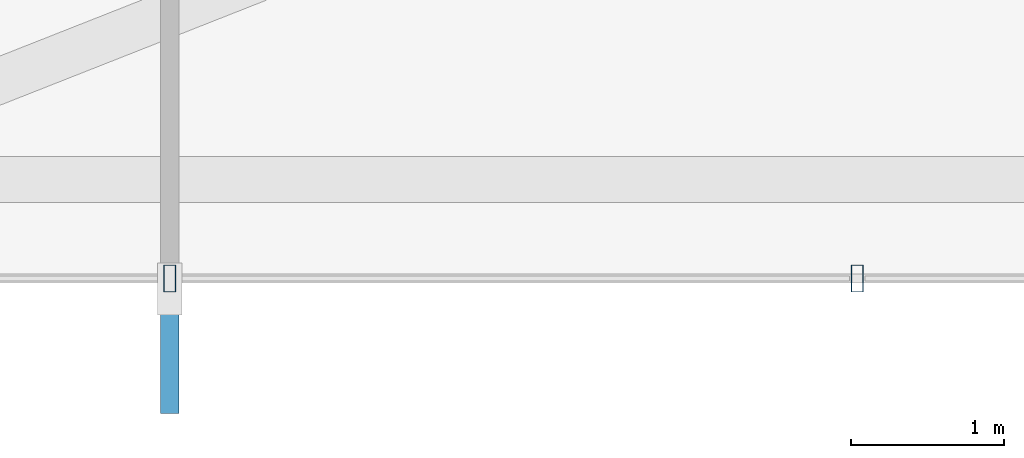
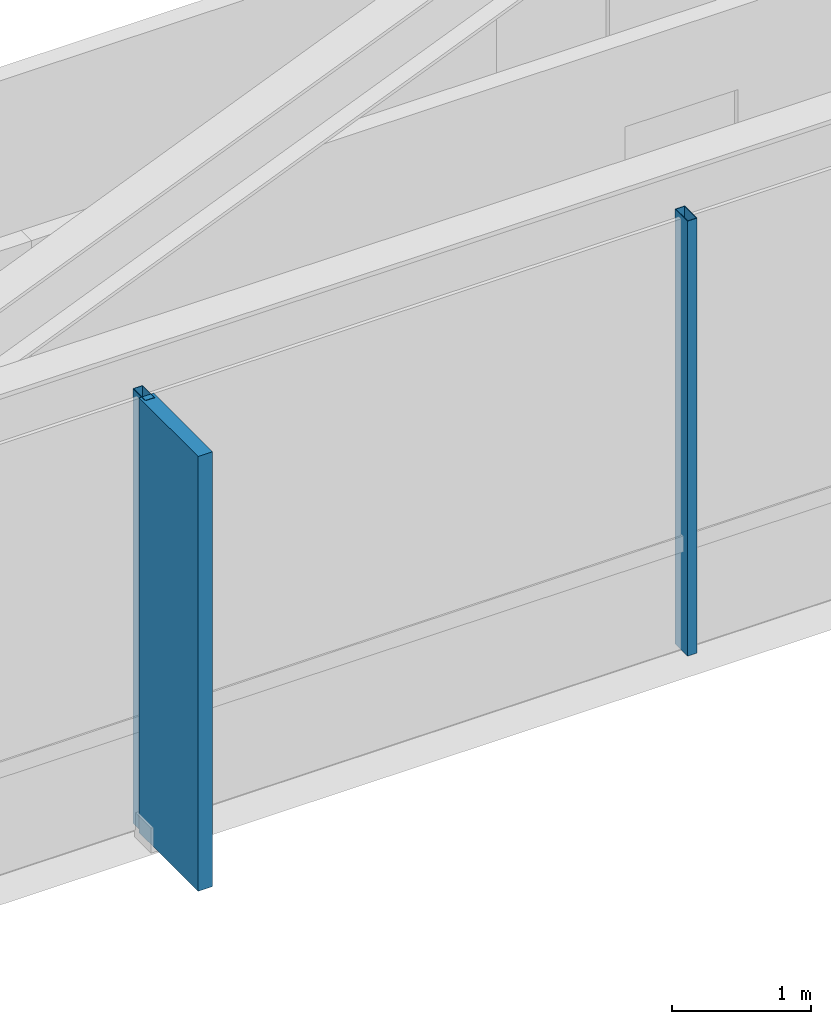
# One storey, part 6 of 24: 3 members, 1 element without a shape of its own.
"""IFC4 building model written with IfcOpenShell, lengths in metres."""

import ifcopenshell
import ifcopenshell.guid

model = None  # the IFC model being written
_history = None  # IfcOwnerHistory: only IFC2X3 demands one
_inside = {}  # id of a spatial element -> (the spatial element, [elements in it])
_under = {}  # id of a project, library or spatial element -> (it, [spatial elements below it])
_declared = {}  # id of a project -> (the project, [libraries it declares])
_typed = {}  # id of a type object -> (the type object, [elements of that type])
_made_of = {}  # id of a material, layer set ... -> (it, [elements and type objects made of it])


def new_model(schema):
    """Start an empty IFC model of exactly this schema.

    Asked for "IFC4X3", IfcOpenShell would pick the latest addendum, in which some entities
    have other attributes; the version numbers below select the first issue.
    IFC2X3 requires an IfcOwnerHistory on every rooted entity: one is made here for all.
    """
    global model, _history
    if schema == "IFC4X3":
        model = ifcopenshell.file(schema_version=(4, 3, 0, 0))
    else:
        model = ifcopenshell.file(schema=schema)
    _inside.clear()
    _under.clear()
    _declared.clear()
    _typed.clear()
    _made_of.clear()
    _history = None
    if model.schema == "IFC2X3":
        org = make("IfcOrganization", Name="unknown")
        user = make(
            "IfcPersonAndOrganization",
            ThePerson=make("IfcPerson", FamilyName="unknown"),
            TheOrganization=org,
        )
        app = make(
            "IfcApplication",
            ApplicationDeveloper=org,
            Version="unknown",
            ApplicationFullName="unknown",
            ApplicationIdentifier="unknown",
        )
        _history = make(
            "IfcOwnerHistory",
            OwningUser=user,
            OwningApplication=app,
            ChangeAction="ADDED",
            CreationDate=0,
        )
    return model


def make(cls, **values):
    """One entity of the class cls with the attributes given. An attribute that is None is left unset."""
    return model.create_entity(
        cls, **{name: value for name, value in values.items() if value is not None}
    )


def rooted(cls, **values):
    """An entity with a GlobalId (a new one), such as an element, a storey or a relation."""
    return make(cls, GlobalId=ifcopenshell.guid.new(), OwnerHistory=_history, **values)


def si_unit(unit_type, name, prefix=None):
    """IfcSIUnit, for example si_unit("LENGTHUNIT", "METRE", prefix="MILLI")."""
    return make("IfcSIUnit", UnitType=unit_type, Prefix=prefix, Name=name)


def assignment(units):
    """IfcUnitAssignment: the units of a project."""
    return None if units is None else make("IfcUnitAssignment", Units=units)


def point(xyz):
    """IfcCartesianPoint."""
    return None if xyz is None else make("IfcCartesianPoint", Coordinates=xyz)


def direction(xyz):
    """IfcDirection."""
    return None if xyz is None else make("IfcDirection", DirectionRatios=xyz)


def frame(location, z_axis=None, x_axis=None):
    """IfcAxis2Placement3D, a coordinate frame: its origin and axes. An axis left out is left unset."""
    return make(
        "IfcAxis2Placement3D",
        Location=point(location),
        Axis=direction(z_axis),
        RefDirection=direction(x_axis),
    )


def frame_2d(location, x_axis=None):
    """IfcAxis2Placement2D, a coordinate frame in the plane: its origin and x axis."""
    return make(
        "IfcAxis2Placement2D", Location=point(location), RefDirection=direction(x_axis)
    )


def origin():
    """The frame at (0, 0, 0) with its axes left unset."""
    return frame((0.0, 0.0, 0.0))


def origin_2d():
    """The frame at (0, 0) in the plane with its x axis left unset."""
    return frame_2d((0.0, 0.0))


def place(relative_to, where):
    """IfcLocalPlacement: puts the frame where relative to a parent placement (None: the world)."""
    return make(
        "IfcLocalPlacement", PlacementRelTo=relative_to, RelativePlacement=where
    )


def context(
    kind, dimensions, precision=None, world=None, true_north=None, identifier=None
):
    """IfcGeometricRepresentationContext, for example the 3D "Model" context."""
    return make(
        "IfcGeometricRepresentationContext",
        ContextIdentifier=identifier,
        ContextType=kind,
        CoordinateSpaceDimension=dimensions,
        Precision=precision,
        WorldCoordinateSystem=world,
        TrueNorth=true_north,
    )


def subcontext(parent, identifier, kind, view, scale=None):
    """IfcGeometricRepresentationSubContext, for example "Body" below "Model"."""
    return make(
        "IfcGeometricRepresentationSubContext",
        ContextIdentifier=identifier,
        ContextType=kind,
        ParentContext=parent,
        TargetScale=scale,
        TargetView=view,
    )


def project(units=None, contexts=None):
    """IfcProject with its units and contexts."""
    return rooted(
        "IfcProject",
        Name="project",
        RepresentationContexts=contexts,
        UnitsInContext=assignment(units),
    )


def spatial(cls, under=None, at=None, **own):
    """A site, building, storey or space (cls), placed at a placement, below another one or the project."""
    s = rooted(cls, ObjectPlacement=at, **own)
    if under is not None:
        _under.setdefault(under.id(), (under, []))[1].append(s)
    return s


def profile(cls, at=None, kind="AREA", **sizes):
    """A parametric profile (cls). Its sizes go by their IFC names, for example OverallWidth=200.0."""
    return make(cls, ProfileType=kind, Position=at, **sizes)


def rectangle(**sizes):
    """IfcRectangleProfileDef."""
    return profile("IfcRectangleProfileDef", **sizes)


def hollow_rectangle(**sizes):
    """IfcRectangleHollowProfileDef."""
    return profile("IfcRectangleHollowProfileDef", **sizes)


def extrude(swept, where, along, depth):
    """IfcExtrudedAreaSolid: the profile swept, set in the frame where, extruded along a direction by depth."""
    return make(
        "IfcExtrudedAreaSolid",
        SweptArea=swept,
        Position=where,
        ExtrudedDirection=direction(along),
        Depth=depth,
    )


def shape(context_of_items, identifier, shape_type, items):
    """IfcShapeRepresentation: the items that make up one representation, for example the "Body"."""
    return make(
        "IfcShapeRepresentation",
        ContextOfItems=context_of_items,
        RepresentationIdentifier=identifier,
        RepresentationType=shape_type,
        Items=items,
    )


def material(Name=None, Category=None):
    """IfcMaterial."""
    return make("IfcMaterial", Name=Name, Category=Category)


def layer(
    of_material, thickness, ventilated=None, Name=None, Category=None, Priority=None
):
    """IfcMaterialLayer: one layer of a wall or slab, of a material (None: an air gap)."""
    return make(
        "IfcMaterialLayer",
        Material=of_material,
        LayerThickness=thickness,
        IsVentilated=ventilated,
        Name=Name,
        Category=Category,
        Priority=Priority,
    )


def layer_set(layers, Name=None):
    """IfcMaterialLayerSet."""
    return make("IfcMaterialLayerSet", MaterialLayers=layers, LayerSetName=Name)


def material_profile(
    of_material, cross_section, Name=None, Category=None, Priority=None
):
    """IfcMaterialProfile: a cross section and its material."""
    return make(
        "IfcMaterialProfile",
        Name=Name,
        Material=of_material,
        Profile=cross_section,
        Priority=Priority,
        Category=Category,
    )


def profile_set(profiles, Name=None, composite=None):
    """IfcMaterialProfileSet."""
    return make(
        "IfcMaterialProfileSet",
        Name=Name,
        MaterialProfiles=profiles,
        CompositeProfile=composite,
    )


def made_of(thing, what):
    """Note that an element or type object is made of a material, layer set ...; save() writes the relation."""
    if what is not None:
        _made_of.setdefault(what.id(), (what, []))[1].append(thing)
    return thing


def type_object(cls, material=None, **own):
    """A type object (cls), such as IfcWallType, which elements share."""
    return made_of(rooted(cls, **own), material)


def element(
    cls,
    number,
    at=None,
    inside=None,
    cuts=None,
    type_object=None,
    material=None,
    context=None,
    identifier="Body",
    shape_type=None,
    held_by="IfcProductDefinitionShape",
    body=None,
    shapes=None,
    **own,
):
    """One element of the class cls, such as IfcWall. Its Tag is "e" and its number.

    at: its placement. inside: the storey or other place that contains it. cuts: it is an
    opening in that element (IfcRelVoidsElement). A single representation is given by context,
    identifier, shape_type and body (its items); several are given by shapes. held_by: the class
    of the entity that holds the representations. save() writes the other relations.
    """
    e = rooted(cls, Tag="e%d" % number, ObjectPlacement=at, **own)
    if body is not None:
        shapes = [shape(context, identifier, shape_type, body)]
    if shapes is not None:
        e.Representation = make(held_by, Representations=shapes)
    if inside is not None:
        _inside.setdefault(inside.id(), (inside, []))[1].append(e)
    if cuts is not None:
        rooted(
            "IfcRelVoidsElement", RelatingBuildingElement=cuts, RelatedOpeningElement=e
        )
    if type_object is not None:
        _typed.setdefault(type_object.id(), (type_object, []))[1].append(e)
    return made_of(e, material)


def aggregate(whole, parts):
    """IfcRelAggregates: a whole, such as a stair, and the parts it consists of."""
    return rooted("IfcRelAggregates", RelatingObject=whole, RelatedObjects=parts)


def save(model, path):
    """Write the relations noted so far, then the file.

    IfcRelAggregates (storeys below a building ...), IfcRelContainedInSpatialStructure (elements
    in a storey), IfcRelDefinesByType, IfcRelAssociatesMaterial and IfcRelDeclares: one each for
    every whole, place, type object, material and project.
    """
    for whole, parts in _under.values():
        aggregate(whole, parts)
    for where, things in _inside.values():
        rooted(
            "IfcRelContainedInSpatialStructure",
            RelatedElements=things,
            RelatingStructure=where,
        )
    for kind, things in _typed.values():
        rooted("IfcRelDefinesByType", RelatedObjects=things, RelatingType=kind)
    for what, things in _made_of.values():
        rooted("IfcRelAssociatesMaterial", RelatedObjects=things, RelatingMaterial=what)
    for by, libraries in _declared.values():
        rooted("IfcRelDeclares", RelatingContext=by, RelatedDefinitions=libraries)
    model.write(path)


model = new_model("IFC4")

# Units and contexts
model_context = context("Model", 3, precision=1e-05, world=origin(), true_north=direction((0.0, 1.0)))
body_context = subcontext(model_context, "Body", "Model", "MODEL_VIEW")
ifc_project = project(units=[si_unit("LENGTHUNIT", "METRE"), si_unit("AREAUNIT", "SQUARE_METRE"), si_unit("VOLUMEUNIT", "CUBIC_METRE"), si_unit("PLANEANGLEUNIT", "RADIAN"), si_unit("MASSUNIT", "GRAM", prefix="KILO")], contexts=[model_context])

# Site, building, storey
site_placement = place(None, origin())
site = spatial("IfcSite", under=ifc_project, at=site_placement, CompositionType="ELEMENT")
building_placement = place(site_placement, origin())
building = spatial("IfcBuilding", under=site, at=building_placement, Name="Zarrinselat Tower", CompositionType="ELEMENT")
storey_placement = place(building_placement, frame((0.0, 0.0, 100.97998046875)))
storey = spatial("IfcBuildingStorey", under=building, at=storey_placement, Name="L24", CompositionType="ELEMENT", Elevation=100.97998046875)

# Curtain wall, members
ifc_material_1 = material(Name="Extruded Aluminium Alloy EN AW-6063 T6", Category="aluminium")
ifc_layer = layer(ifc_material_1, 0.18505859375)
ifc_layer_set = layer_set([ifc_layer], Name="Extruded Aluminium Alloy EN AW-6063 T6")
curtain_wall_type = type_object("IfcCurtainWallType", Name="CWS-OFF", PredefinedType="NOTDEFINED", material=ifc_layer_set)
curtain_wall_placement = place(storey_placement, origin())
curtain_wall = element("IfcCurtainWall", 1, at=curtain_wall_placement, inside=storey, type_object=curtain_wall_type, Name="L24 Unitised Curtain Wall CW-L24-E04", PredefinedType="NOTDEFINED")
ifc_material_2 = material(Name="Extruded Aluminium Alloy EN AW-6063 T6", Category="aluminium")
ifc_material_profile_1 = material_profile(ifc_material_2, hollow_rectangle(XDim=0.080078125, YDim=0.179931640625, WallThickness=0.0048828125, at=origin_2d()), Name="RHS 180x80x5")
ifc_profile_set_1 = profile_set([ifc_material_profile_1], Name="Extruded Aluminium Alloy EN AW-6063 T6")
member_type_1 = type_object("IfcMemberType", Name="MEM-CW-MUL", PredefinedType="MULLION", material=ifc_profile_set_1)
member_1_placement = place(storey_placement, frame((32.0, 18.32568359375, 0.0), z_axis=(0.0, 0.0, 1.0), x_axis=(1.0, 0.0, 0.0)))
member_1 = element("IfcMember", 2, at=member_1_placement, type_object=member_type_1, Name="CW-L24-E04 Mullion 1", PredefinedType="MULLION", context=body_context, shape_type="SweptSolid", body=[
    extrude(hollow_rectangle(XDim=0.080078125, YDim=0.179931640625, WallThickness=0.0048828125, at=origin_2d()), origin(), (0.0, 0.0, 1.0), 3.820068359375),
])
member_2_placement = place(storey_placement, frame((36.505126953125, 18.32568359375, 0.0), z_axis=(0.0, 0.0, 1.0), x_axis=(1.0, 0.0, 0.0)))
member_2 = element("IfcMember", 3, at=member_2_placement, type_object=member_type_1, Name="CW-L24-E04 Mullion 2", PredefinedType="MULLION", context=body_context, shape_type="SweptSolid", body=[
    extrude(hollow_rectangle(XDim=0.080078125, YDim=0.179931640625, WallThickness=0.0048828125, at=origin_2d()), origin(), (0.0, 0.0, 1.0), 3.820068359375),
])
ifc_material_3 = material(Name="Honed Cream Travertine Stone", Category="masonry")
ifc_material_profile_2 = material_profile(ifc_material_3, rectangle(XDim=0.1201171875, YDim=0.85009765625, at=origin_2d()), Name="FIN 850x120")
ifc_profile_set_2 = profile_set([ifc_material_profile_2], Name="Honed Cream Travertine Stone")
member_type_2 = type_object("IfcMemberType", Name="MEM-STONE-FIN", PredefinedType="USERDEFINED", material=ifc_profile_set_2)
member_3_placement = place(storey_placement, frame((32.0, 17.865478515625, 0.0), z_axis=(0.0, 0.0, 1.0), x_axis=(-1.0, 0.0, 0.0)))
member_3 = element("IfcMember", 4, at=member_3_placement, type_object=member_type_2, Name="L24 Stone Shading Fin CW-L24-E04-01", ObjectType="FIN", PredefinedType="USERDEFINED", context=body_context, shape_type="SweptSolid", body=[
    extrude(rectangle(XDim=0.1201171875, YDim=0.85009765625, at=origin_2d()), origin(), (0.0, 0.0, 1.0), 3.820068359375),
])
aggregate(curtain_wall, [member_1, member_3, member_2])

save(model, "model.ifc")
